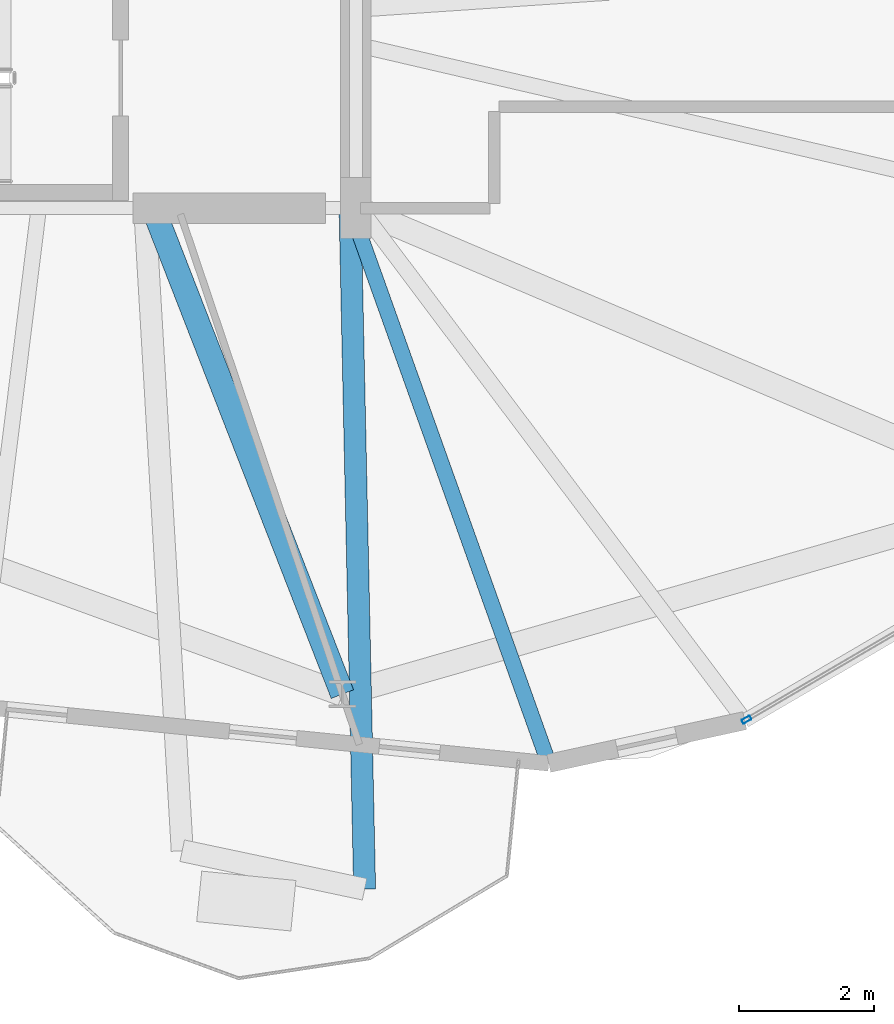
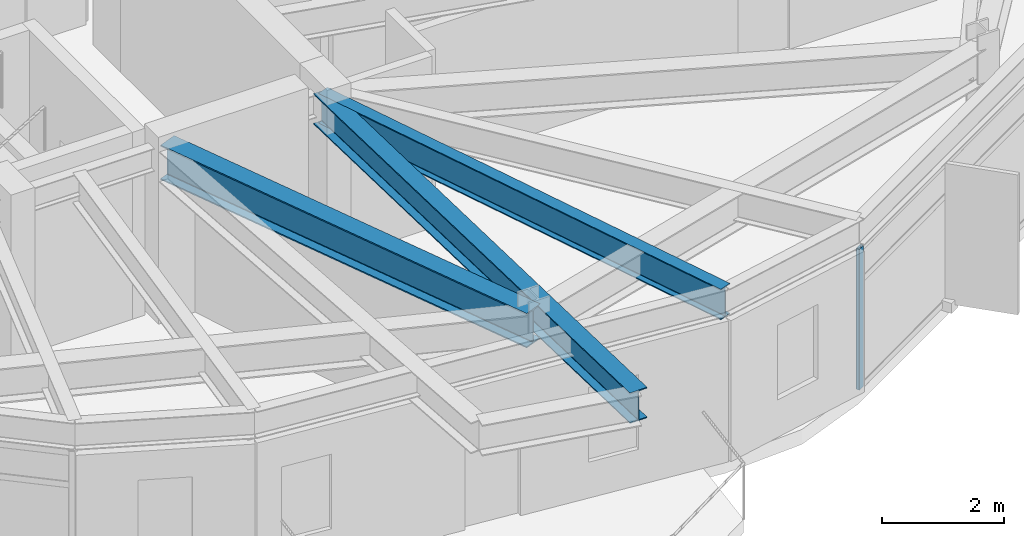
# One storey, part 5 of 25: 3 beams, 1 member, 1 element without a shape of its own.
"""IFC4 building model written with IfcOpenShell, lengths in metres."""

from ifc_helpers import new_model, si_unit, direction, frame, origin, origin_2d, place, context, subcontext, project, spatial, hollow_rectangle, i_section, extrude, material, layer, layer_set, material_profile, profile_set, type_object, element, aggregate, save


model = new_model("IFC4")

# Units and contexts
model_context = context("Model", 3, precision=1e-05, world=origin(), true_north=direction((0.0, 1.0)))
body_context = subcontext(model_context, "Body", "Model", "MODEL_VIEW")
ifc_project = project(units=[si_unit("LENGTHUNIT", "METRE"), si_unit("AREAUNIT", "SQUARE_METRE"), si_unit("VOLUMEUNIT", "CUBIC_METRE"), si_unit("PLANEANGLEUNIT", "RADIAN"), si_unit("MASSUNIT", "GRAM", prefix="KILO")], contexts=[model_context])

# Site, building, storey
site_placement = place(None, origin())
site = spatial("IfcSite", under=ifc_project, at=site_placement, CompositionType="ELEMENT")
building_placement = place(site_placement, origin())
building = spatial("IfcBuilding", under=site, at=building_placement, Name="Soratama Intermodal Tower", CompositionType="ELEMENT")
storey_placement = place(building_placement, frame((0.0, 0.0, 276.25)))
storey = spatial("IfcBuildingStorey", under=building, at=storey_placement, Name="L70", CompositionType="ELEMENT", Elevation=276.25)

# Beams
ifc_material_1 = material(Name="Structural steel ASTM A992 Grade 50", Category="steel")
ifc_material_profile_1 = material_profile(ifc_material_1, i_section(OverallWidth=0.324951171875, OverallDepth=0.615966796875, WebThickness=0.013916015625, FlangeThickness=0.021484375, FilletRadius=0.013916015625, at=origin_2d()), Name="W24X117")
ifc_profile_set_1 = profile_set([ifc_material_profile_1], Name="Structural steel ASTM A992 Grade 50")
beam_type_1 = type_object("IfcBeamType", Name="BM-CANT-W24X117", PredefinedType="BEAM", material=ifc_profile_set_1)
beam_1_placement = place(storey_placement, frame((44.513916015625, 14.9599609375, 3.14208984375), z_axis=(0.021429036751, -0.999770371827, 0.0), x_axis=(0.999770371827, 0.021429036751, 0.0)))
element("IfcBeam", 1, at=beam_1_placement, inside=storey, type_object=beam_type_1, Name="BM-L70-CANT-3-2", PredefinedType="BEAM", context=body_context, shape_type="SweptSolid", body=[
    extrude(i_section(OverallWidth=0.324951171875, OverallDepth=0.615966796875, WebThickness=0.013916015625, FlangeThickness=0.021484375, FilletRadius=0.013916015625, at=origin_2d()), origin(), (0.0, 0.0, 1.0), 10.037109375),
])
ifc_material_2 = material(Name="Structural steel ASTM A992 Grade 50", Category="steel")
ifc_material_profile_2 = material_profile(ifc_material_2, i_section(OverallWidth=0.35498046875, OverallDepth=0.695068359375, WebThickness=0.015380859375, FlangeThickness=0.02490234375, FilletRadius=0.01611328125, at=origin_2d()), Name="W27X146")
ifc_profile_set_2 = profile_set([ifc_material_profile_2], Name="Structural steel ASTM A992 Grade 50")
beam_type_2 = type_object("IfcBeamType", Name="BM-RING-W27X146", PredefinedType="BEAM", material=ifc_profile_set_2)
beam_2_placement = place(storey_placement, frame((41.60009765625, 15.0, 3.1025390625), z_axis=(0.362907405592, -0.931825206231, 0.0), x_axis=(0.931825206231, 0.362907405592, 0.0)))
element("IfcBeam", 2, at=beam_2_placement, inside=storey, type_object=beam_type_2, Name="BM-L70-RAD-08", PredefinedType="BEAM", context=body_context, shape_type="SweptSolid", body=[
    extrude(i_section(OverallWidth=0.35498046875, OverallDepth=0.695068359375, WebThickness=0.015380859375, FlangeThickness=0.02490234375, FilletRadius=0.01611328125, at=origin_2d()), origin(), (0.0, 0.0, 1.0), 7.71484375),
])
ifc_material_3 = material(Name="Structural steel ASTM A992 Grade 50", Category="steel")
ifc_material_profile_3 = material_profile(ifc_material_3, i_section(OverallWidth=0.22900390625, OverallDepth=0.612060546875, WebThickness=0.011962890625, FlangeThickness=0.01953125, FilletRadius=0.012939453125, at=origin_2d()), Name="W24X84")
ifc_profile_set_3 = profile_set([ifc_material_profile_3], Name="Structural steel ASTM A992 Grade 50")
beam_type_3 = type_object("IfcBeamType", Name="BM-TIE-W24X84", PredefinedType="BEAM", material=ifc_profile_set_3)
beam_3_placement = place(storey_placement, frame((44.530029296875, 14.9619140625, 3.14404296875), z_axis=(0.336626719925, -0.941638174371, 0.0), x_axis=(0.941638174371, 0.336626719925, 0.0)))
element("IfcBeam", 3, at=beam_3_placement, inside=storey, type_object=beam_type_3, Name="BM-L70-TIE1-06", PredefinedType="BEAM", context=body_context, shape_type="SweptSolid", body=[
    extrude(i_section(OverallWidth=0.22900390625, OverallDepth=0.612060546875, WebThickness=0.011962890625, FlangeThickness=0.01953125, FilletRadius=0.012939453125, at=origin_2d()), origin(), (0.0, 0.0, 1.0), 8.682861328125),
])

# Curtain wall, member
ifc_material_4 = material(Name="Double-glazed aluminium curtain wall", Category="aluminium")
ifc_layer = layer(ifc_material_4, 0.159912109375)
ifc_layer_set = layer_set([ifc_layer], Name="Double-glazed aluminium curtain wall")
curtain_wall_type = type_object("IfcCurtainWallType", Name="CW-SYS-5", PredefinedType="NOTDEFINED", material=ifc_layer_set)
curtain_wall_placement = place(storey_placement, origin())
curtain_wall = element("IfcCurtainWall", 4, at=curtain_wall_placement, inside=storey, type_object=curtain_wall_type, Name="L70 Faceted Curtain Wall F07", PredefinedType="NOTDEFINED")
ifc_material_5 = material(Name="Anodised aluminium AA 6063-T6", Category="aluminium")
ifc_material_profile_4 = material_profile(ifc_material_5, hollow_rectangle(XDim=0.06494140625, YDim=0.139892578125, WallThickness=0.0048828125, InnerFilletRadius=0.0048828125, OuterFilletRadius=0.010009765625, at=origin_2d()), Name="CWM140X65X5")
ifc_profile_set_4 = profile_set([ifc_material_profile_4], Name="Anodised aluminium AA 6063-T6")
member_type = type_object("IfcMemberType", Name="MT-CWM-5", PredefinedType="MULLION", material=ifc_profile_set_4)
member_placement = place(storey_placement, frame((50.37744140625, 7.43359375, 0.0), z_axis=(0.0, 0.0, 1.0), x_axis=(-0.504528498033, 0.863395039754, 0.0)))
member = element("IfcMember", 5, at=member_placement, type_object=member_type, Name="CW-5 mullion 1", PredefinedType="MULLION", context=body_context, shape_type="SweptSolid", body=[
    extrude(hollow_rectangle(XDim=0.06494140625, YDim=0.139892578125, WallThickness=0.0048828125, InnerFilletRadius=0.0048828125, OuterFilletRadius=0.010009765625, at=origin_2d()), origin(), (0.0, 0.0, 1.0), 2.8291015625),
])
aggregate(curtain_wall, [member])

save(model, "model.ifc")
